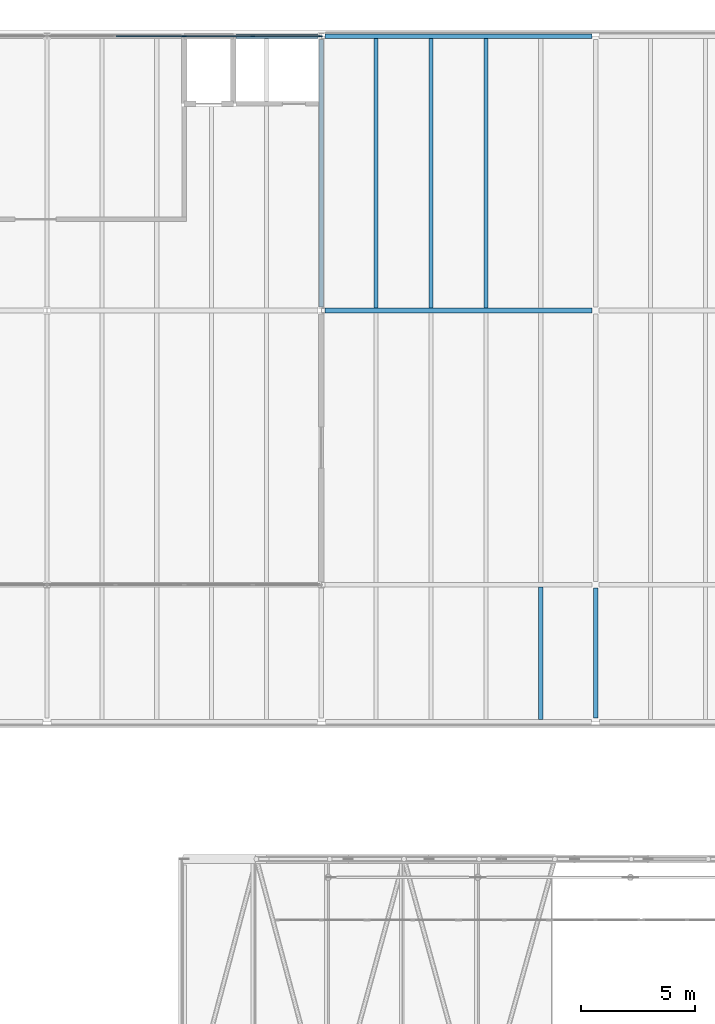
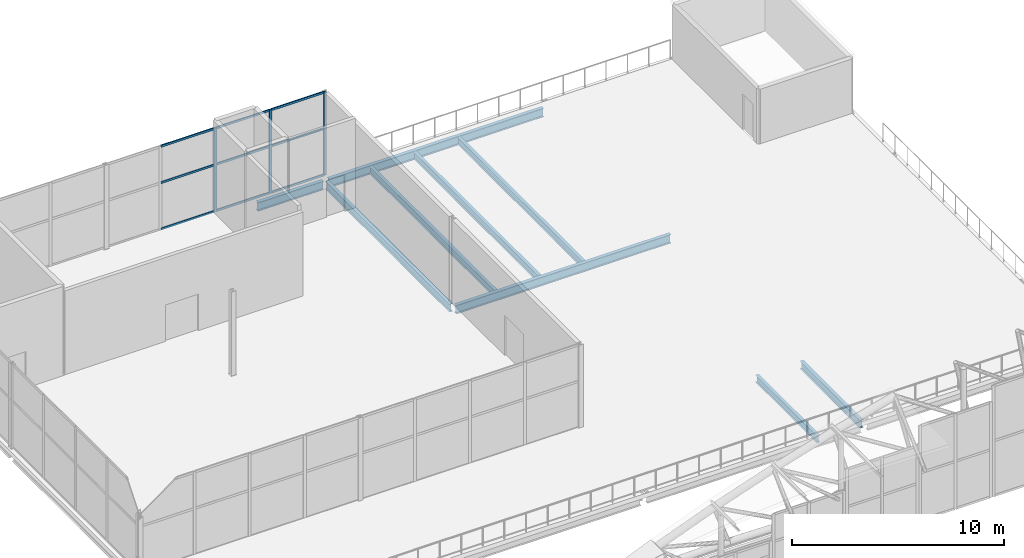
# One storey, part 205 of 321: 12 members, 9 beams, 1 element without a shape of its own.
"""IFC4 building model written with IfcOpenShell, lengths in metres."""

from ifc_helpers import new_model, si_unit, direction, frame, origin, origin_2d, place, context, subcontext, project, spatial, rectangle, i_section, extrude, material, layer, layer_set, material_profile, profile_set, type_object, element, aggregate, save


model = new_model("IFC4")

# Units and contexts
model_context = context("Model", 3, precision=1e-05, world=origin(), true_north=direction((0.0, 1.0)))
body_context = subcontext(model_context, "Body", "Model", "MODEL_VIEW")
ifc_project = project(units=[si_unit("LENGTHUNIT", "METRE"), si_unit("AREAUNIT", "SQUARE_METRE"), si_unit("VOLUMEUNIT", "CUBIC_METRE"), si_unit("PLANEANGLEUNIT", "RADIAN"), si_unit("MASSUNIT", "GRAM", prefix="KILO")], contexts=[model_context])

# Site, building, storey
site_placement = place(None, origin())
site = spatial("IfcSite", under=ifc_project, at=site_placement, CompositionType="ELEMENT")
building_placement = place(site_placement, origin())
building = spatial("IfcBuilding", under=site, at=building_placement, Name="Ravi Spectrum Wholesale Market", CompositionType="ELEMENT")
storey_placement = place(building_placement, frame((0.0, 0.0, 10.800048828125)))
storey = spatial("IfcBuildingStorey", under=building, at=storey_placement, Name="L02", CompositionType="ELEMENT", Elevation=10.800048828125)

# Beams
ifc_material_1 = material(Name="Steel S355", Category="steel")
ifc_material_profile_1 = material_profile(ifc_material_1, i_section(OverallWidth=0.179931640625, OverallDepth=0.39990234375, WebThickness=0.008544921875, FlangeThickness=0.013427734375, at=origin_2d()))
ifc_profile_set_1 = profile_set([ifc_material_profile_1], Name="Steel S355")
beam_type_1 = type_object("IfcBeamType", Name="IPE 400 girder", PredefinedType="BEAM", material=ifc_profile_set_1)
beam_1_placement = place(storey_placement, frame((45.60009765625, 204.10009765625, -0.449951171875), z_axis=(0.0, 1.0, 0.0), x_axis=(-1.0, 0.0, 0.0)))
element("IfcBeam", 1, at=beam_1_placement, inside=storey, type_object=beam_type_1, Name="OF-BM-L02-060", PredefinedType="BEAM", context=body_context, shape_type="SweptSolid", body=[
    extrude(i_section(OverallWidth=0.179931640625, OverallDepth=0.39990234375, WebThickness=0.008544921875, FlangeThickness=0.013427734375, at=origin_2d()), origin(), (0.0, 0.0, 1.0), 5.7998046875),
])
for number, where, z_axis, x_axis, name in (
    (2, (38.39990234375, 222.10009765625, -0.449951171875), (0.0, 1.0, 0.0), (-1.0, 0.0, 0.0), "OF-BM-L02-065"),
    (3, (40.800048828125, 222.10009765625, -0.449951171875), (0.0, 1.0, 0.0), (-1.0, 0.0, 0.0), "OF-BM-L02-066"),
    (4, (43.199951171875, 222.10009765625, -0.449951171875), (0.0, 1.0, 0.0), (-1.0, 0.0, 0.0), "OF-BM-L02-067"),
):
    element("IfcBeam", number, at=place(storey_placement, frame(where, z_axis=z_axis, x_axis=x_axis)), inside=storey, type_object=beam_type_1, Name=name, PredefinedType="BEAM", context=body_context, shape_type="SweptSolid", body=[
        extrude(i_section(OverallWidth=0.179931640625, OverallDepth=0.39990234375, WebThickness=0.008544921875, FlangeThickness=0.013427734375, at=origin_2d()), origin(), (0.0, 0.0, 1.0), 11.7998046875),
    ])
ifc_material_2 = material(Name="Steel S355", Category="steel")
ifc_material_profile_2 = material_profile(ifc_material_2, i_section(OverallWidth=0.18994140625, OverallDepth=0.449951171875, WebThickness=0.009521484375, FlangeThickness=0.0146484375, at=origin_2d()))
ifc_profile_set_2 = profile_set([ifc_material_profile_2], Name="Steel S355")
beam_type_2 = type_object("IfcBeamType", Name="IPE 450 girder", PredefinedType="BEAM", material=ifc_profile_set_2)
beam_2_placement = place(storey_placement, frame((36.0, 222.14990234375, -0.47509765625), z_axis=(0.0, 1.0, 0.0), x_axis=(-1.0, 0.0, 0.0)))
element("IfcBeam", 5, at=beam_2_placement, inside=storey, type_object=beam_type_2, Name="OF-BM-L02-026", PredefinedType="BEAM", context=body_context, shape_type="SweptSolid", body=[
    extrude(i_section(OverallWidth=0.18994140625, OverallDepth=0.449951171875, WebThickness=0.009521484375, FlangeThickness=0.0146484375, at=origin_2d()), origin(), (0.0, 0.0, 1.0), 11.7001953125),
])
beam_3_placement = place(storey_placement, frame((48.0, 204.177734375, -0.47509765625), z_axis=(0.0, 1.0, 0.0), x_axis=(-1.0, 0.0, 0.0)))
element("IfcBeam", 6, at=beam_3_placement, inside=storey, type_object=beam_type_2, Name="OF-BM-L02-027", PredefinedType="BEAM", context=body_context, shape_type="SweptSolid", body=[
    extrude(i_section(OverallWidth=0.18994140625, OverallDepth=0.449951171875, WebThickness=0.009521484375, FlangeThickness=0.0146484375, at=origin_2d()), origin(), (0.0, 0.0, 1.0), 5.67236328125),
])
ifc_material_3 = material(Name="Steel S355", Category="steel")
ifc_material_profile_3 = material_profile(ifc_material_3, i_section(OverallWidth=0.199951171875, OverallDepth=0.5, WebThickness=0.01025390625, FlangeThickness=0.01611328125, at=origin_2d()))
ifc_profile_set_3 = profile_set([ifc_material_profile_3], Name="Steel S355")
beam_type_3 = type_object("IfcBeamType", Name="IPE 500 beam", PredefinedType="BEAM", material=ifc_profile_set_3)
beam_4_placement = place(storey_placement, frame((36.14990234375, 222.0, -0.5), z_axis=(1.0, 0.0, 0.0), x_axis=(0.0, 1.0, 0.0)))
element("IfcBeam", 7, at=beam_4_placement, inside=storey, type_object=beam_type_3, Name="OF-BM-L02-011", PredefinedType="BEAM", context=body_context, shape_type="SweptSolid", body=[
    extrude(i_section(OverallWidth=0.199951171875, OverallDepth=0.5, WebThickness=0.01025390625, FlangeThickness=0.01611328125, at=origin_2d()), origin(), (0.0, 0.0, 1.0), 11.7001953125),
])
beam_5_placement = place(storey_placement, frame((32.27490234375, 234.0, -0.5), z_axis=(1.0, 0.0, 0.0), x_axis=(0.0, 1.0, 0.0)))
element("IfcBeam", 8, at=beam_5_placement, inside=storey, type_object=beam_type_3, Name="OF-BM-L02-015", PredefinedType="BEAM", context=body_context, shape_type="SweptSolid", body=[
    extrude(i_section(OverallWidth=0.199951171875, OverallDepth=0.5, WebThickness=0.01025390625, FlangeThickness=0.01611328125, at=origin_2d()), origin(), (0.0, 0.0, 1.0), 3.5751953125),
])
beam_6_placement = place(storey_placement, frame((36.14990234375, 234.0, -0.5), z_axis=(1.0, 0.0, 0.0), x_axis=(0.0, 1.0, 0.0)))
element("IfcBeam", 9, at=beam_6_placement, inside=storey, type_object=beam_type_3, Name="OF-BM-L02-016", PredefinedType="BEAM", context=body_context, shape_type="SweptSolid", body=[
    extrude(i_section(OverallWidth=0.199951171875, OverallDepth=0.5, WebThickness=0.01025390625, FlangeThickness=0.01611328125, at=origin_2d()), origin(), (0.0, 0.0, 1.0), 11.7001953125),
])

# Curtain wall, members
ifc_material_4 = material(Name="Aluminium 6063-T6", Category="aluminium")
ifc_layer = layer(ifc_material_4, 0.14990234375)
ifc_layer_set = layer_set([ifc_layer], Name="Aluminium 6063-T6")
curtain_wall_type = type_object("IfcCurtainWallType", Name="Curtain wall 150", PredefinedType="NOTDEFINED", material=ifc_layer_set)
curtain_wall_placement = place(storey_placement, origin())
curtain_wall = element("IfcCurtainWall", 10, at=curtain_wall_placement, inside=storey, type_object=curtain_wall_type, Name="OF-CW-L02-003", PredefinedType="NOTDEFINED")
ifc_material_5 = material(Name="Aluminium 6063-T6", Category="aluminium")
ifc_material_profile_4 = material_profile(ifc_material_5, rectangle(XDim=0.06005859375, YDim=0.159912109375, at=origin_2d()))
ifc_profile_set_4 = profile_set([ifc_material_profile_4], Name="Aluminium 6063-T6")
member_type_1 = type_object("IfcMemberType", Name="Mullion 60 x 160", PredefinedType="MULLION", material=ifc_profile_set_4)
member_1_placement = place(storey_placement, frame((30.0, 234.0, 0.0), z_axis=(0.0, 0.0, 1.0), x_axis=(0.0, 1.0, 0.0)))
member_1 = element("IfcMember", 11, at=member_1_placement, type_object=member_type_1, Name="OF-CW-L02-003 mullion 7", PredefinedType="MULLION", context=body_context, shape_type="SweptSolid", body=[
    extrude(rectangle(XDim=0.06005859375, YDim=0.159912109375, at=origin_2d()), origin(), (0.0, 0.0, 1.0), 4.820068359375),
])
member_2_placement = place(storey_placement, frame((33.0, 234.0, 0.0), z_axis=(0.0, 0.0, 1.0), x_axis=(0.0, 1.0, 0.0)))
member_2 = element("IfcMember", 12, at=member_2_placement, type_object=member_type_1, Name="OF-CW-L02-003 mullion 8", PredefinedType="MULLION", context=body_context, shape_type="SweptSolid", body=[
    extrude(rectangle(XDim=0.06005859375, YDim=0.159912109375, at=origin_2d()), origin(), (0.0, 0.0, 1.0), 4.820068359375),
])
member_3_placement = place(storey_placement, frame((35.969970703125, 234.0, 0.0), z_axis=(0.0, 0.0, 1.0), x_axis=(0.0, 1.0, 0.0)))
member_3 = element("IfcMember", 13, at=member_3_placement, type_object=member_type_1, Name="OF-CW-L02-003 mullion 9", PredefinedType="MULLION", context=body_context, shape_type="SweptSolid", body=[
    extrude(rectangle(XDim=0.06005859375, YDim=0.159912109375, at=origin_2d()), origin(), (0.0, 0.0, 1.0), 4.820068359375),
])
ifc_material_6 = material(Name="Aluminium 6063-T6", Category="aluminium")
ifc_material_profile_5 = material_profile(ifc_material_6, rectangle(XDim=0.06005859375, YDim=0.1201171875, at=origin_2d()))
ifc_profile_set_5 = profile_set([ifc_material_profile_5], Name="Aluminium 6063-T6")
member_type_2 = type_object("IfcMemberType", Name="Transom 60 x 120", PredefinedType="USERDEFINED", material=ifc_profile_set_5)
member_4_placement = place(storey_placement, frame((27.030029296875, 234.0, 0.030029296875), z_axis=(1.0, 0.0, 0.0), x_axis=(0.0, 1.0, 0.0)))
member_4 = element("IfcMember", 14, at=member_4_placement, type_object=member_type_2, Name="OF-CW-L02-003 transom 6.1", ObjectType="TRANSOM", PredefinedType="USERDEFINED", context=body_context, shape_type="SweptSolid", body=[
    extrude(rectangle(XDim=0.06005859375, YDim=0.1201171875, at=origin_2d()), origin(), (0.0, 0.0, 1.0), 2.93994140625),
])
member_5_placement = place(storey_placement, frame((27.030029296875, 234.0, 2.699951171875), z_axis=(1.0, 0.0, 0.0), x_axis=(0.0, 1.0, 0.0)))
member_5 = element("IfcMember", 15, at=member_5_placement, type_object=member_type_2, Name="OF-CW-L02-003 transom 6.2", ObjectType="TRANSOM", PredefinedType="USERDEFINED", context=body_context, shape_type="SweptSolid", body=[
    extrude(rectangle(XDim=0.06005859375, YDim=0.1201171875, at=origin_2d()), origin(), (0.0, 0.0, 1.0), 2.93994140625),
])
member_6_placement = place(storey_placement, frame((27.030029296875, 234.0, 4.7900390625), z_axis=(1.0, 0.0, 0.0), x_axis=(0.0, 1.0, 0.0)))
member_6 = element("IfcMember", 16, at=member_6_placement, type_object=member_type_2, Name="OF-CW-L02-003 transom 6.3", ObjectType="TRANSOM", PredefinedType="USERDEFINED", context=body_context, shape_type="SweptSolid", body=[
    extrude(rectangle(XDim=0.06005859375, YDim=0.1201171875, at=origin_2d()), origin(), (0.0, 0.0, 1.0), 2.93994140625),
])
member_7_placement = place(storey_placement, frame((30.030029296875, 234.0, 0.030029296875), z_axis=(1.0, 0.0, 0.0), x_axis=(0.0, 1.0, 0.0)))
member_7 = element("IfcMember", 17, at=member_7_placement, type_object=member_type_2, Name="OF-CW-L02-003 transom 7.1", ObjectType="TRANSOM", PredefinedType="USERDEFINED", context=body_context, shape_type="SweptSolid", body=[
    extrude(rectangle(XDim=0.06005859375, YDim=0.1201171875, at=origin_2d()), origin(), (0.0, 0.0, 1.0), 2.93994140625),
])
member_8_placement = place(storey_placement, frame((30.030029296875, 234.0, 2.699951171875), z_axis=(1.0, 0.0, 0.0), x_axis=(0.0, 1.0, 0.0)))
member_8 = element("IfcMember", 18, at=member_8_placement, type_object=member_type_2, Name="OF-CW-L02-003 transom 7.2", ObjectType="TRANSOM", PredefinedType="USERDEFINED", context=body_context, shape_type="SweptSolid", body=[
    extrude(rectangle(XDim=0.06005859375, YDim=0.1201171875, at=origin_2d()), origin(), (0.0, 0.0, 1.0), 2.93994140625),
])
member_9_placement = place(storey_placement, frame((30.030029296875, 234.0, 4.7900390625), z_axis=(1.0, 0.0, 0.0), x_axis=(0.0, 1.0, 0.0)))
member_9 = element("IfcMember", 19, at=member_9_placement, type_object=member_type_2, Name="OF-CW-L02-003 transom 7.3", ObjectType="TRANSOM", PredefinedType="USERDEFINED", context=body_context, shape_type="SweptSolid", body=[
    extrude(rectangle(XDim=0.06005859375, YDim=0.1201171875, at=origin_2d()), origin(), (0.0, 0.0, 1.0), 2.93994140625),
])
member_10_placement = place(storey_placement, frame((33.030029296875, 234.0, 0.030029296875), z_axis=(1.0, 0.0, 0.0), x_axis=(0.0, 1.0, 0.0)))
member_10 = element("IfcMember", 20, at=member_10_placement, type_object=member_type_2, Name="OF-CW-L02-003 transom 8.1", ObjectType="TRANSOM", PredefinedType="USERDEFINED", context=body_context, shape_type="SweptSolid", body=[
    extrude(rectangle(XDim=0.06005859375, YDim=0.1201171875, at=origin_2d()), origin(), (0.0, 0.0, 1.0), 2.909912109375),
])
member_11_placement = place(storey_placement, frame((33.030029296875, 234.0, 2.699951171875), z_axis=(1.0, 0.0, 0.0), x_axis=(0.0, 1.0, 0.0)))
member_11 = element("IfcMember", 21, at=member_11_placement, type_object=member_type_2, Name="OF-CW-L02-003 transom 8.2", ObjectType="TRANSOM", PredefinedType="USERDEFINED", context=body_context, shape_type="SweptSolid", body=[
    extrude(rectangle(XDim=0.06005859375, YDim=0.1201171875, at=origin_2d()), origin(), (0.0, 0.0, 1.0), 2.909912109375),
])
member_12_placement = place(storey_placement, frame((33.030029296875, 234.0, 4.7900390625), z_axis=(1.0, 0.0, 0.0), x_axis=(0.0, 1.0, 0.0)))
member_12 = element("IfcMember", 22, at=member_12_placement, type_object=member_type_2, Name="OF-CW-L02-003 transom 8.3", ObjectType="TRANSOM", PredefinedType="USERDEFINED", context=body_context, shape_type="SweptSolid", body=[
    extrude(rectangle(XDim=0.06005859375, YDim=0.1201171875, at=origin_2d()), origin(), (0.0, 0.0, 1.0), 2.909912109375),
])
aggregate(curtain_wall, [member_1, member_2, member_3, member_4, member_5, member_6, member_7, member_8, member_9, member_10, member_11, member_12])

save(model, "model.ifc")
